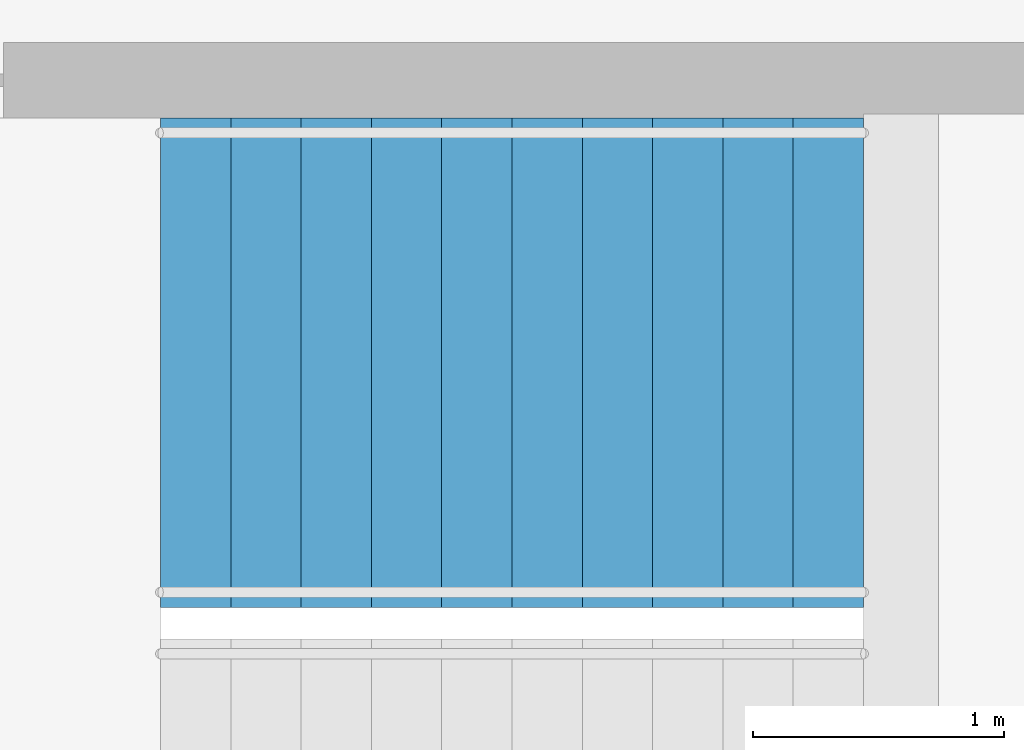
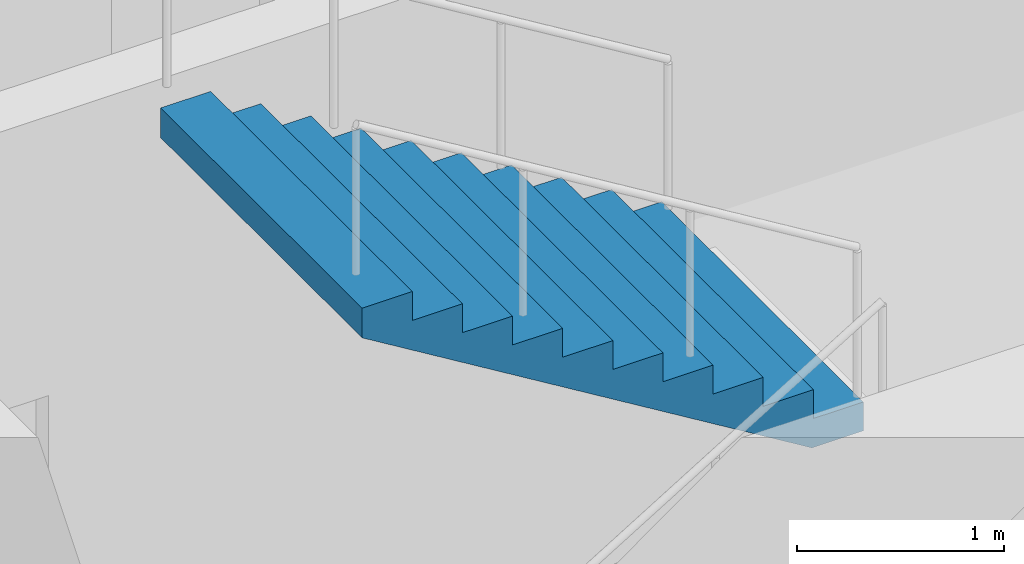
# One storey, part 19 of 22: 1 stair flight, 1 element without a shape of its own.
"""IFC4 building model written with IfcOpenShell, lengths in metres."""

from ifc_helpers import new_model, si_unit, direction, frame, origin, place, context, subcontext, project, spatial, triangles, material, type_object, element, aggregate, save


model = new_model("IFC4")

# Units and contexts
model_context = context("Model", 3, precision=1e-05, world=origin(), true_north=direction((0.0, 1.0)))
body_context = subcontext(model_context, "Body", "Model", "MODEL_VIEW")
ifc_project = project(units=[si_unit("LENGTHUNIT", "METRE"), si_unit("AREAUNIT", "SQUARE_METRE"), si_unit("VOLUMEUNIT", "CUBIC_METRE"), si_unit("PLANEANGLEUNIT", "RADIAN"), si_unit("MASSUNIT", "GRAM", prefix="KILO")], contexts=[model_context])

# Site, building, storey
site_placement = place(None, origin())
site = spatial("IfcSite", under=ifc_project, at=site_placement, CompositionType="ELEMENT")
building_placement = place(site_placement, origin())
building = spatial("IfcBuilding", under=site, at=building_placement, Name="Orbita Commons", CompositionType="ELEMENT")
storey_placement = place(building_placement, frame((0.0, 0.0, 197.35009765625)))
storey = spatial("IfcBuildingStorey", under=building, at=storey_placement, Name="L49", CompositionType="ELEMENT", Elevation=197.35009765625)

# Stair, stair flight
ifc_material_1 = material(Name="Precast concrete C40/50", Category="concrete")
stair_type = type_object("IfcStairType", Name="Exit stair S1 2 flights 11 risers 170", PredefinedType="HALF_TURN_STAIR", material=ifc_material_1)
stair_placement = place(storey_placement, origin())
stair = element("IfcStair", 1, at=stair_placement, inside=storey, type_object=stair_type, Name="Exit stair S1 L49", PredefinedType="HALF_TURN_STAIR")
ifc_material_2 = material(Name="Precast concrete C40/50", Category="concrete")
stair_flight_type = type_object("IfcStairFlightType", Name="Stair flight 11 risers 170 x 280", PredefinedType="STRAIGHT", material=ifc_material_2)
stair_flight_placement = place(storey_placement, frame((23.25, 29.27490234375, 1.875), z_axis=(0.0, 0.0, 1.0), x_axis=(-1.0, 0.0, 0.0)))
stair_flight = element("IfcStairFlight", 2, at=stair_flight_placement, type_object=stair_flight_type, Name="S1 flight 2", NumberOfRisers=11, NumberOfTreads=10, PredefinedType="STRAIGHT", RiserHeight=0.170454545, TreadLength=0.28, context=body_context, shape_type="Tessellation", body=[
    triangles([(0.0, 0.974976, 0.0), (0.0, 0.974976, 0.021307), (0.0, 0.81248, 0.021307), (0.0, 0.81248, 0.0), (0.0, 0.649984, 0.021307), (0.0, 0.649984, 0.0), (0.0, 0.487488, 0.021307), (0.0, 0.487488, 0.0), (0.0, 0.324992, 0.021307), (0.0, 0.324992, 0.0), (0.0, 0.162496, 0.021307), (0.0, 0.162496, 0.0), (0.0, 0.0, 0.021307), (0.0, 0.0, 0.0), (0.0, -0.162496, 0.021307), (0.0, -0.162496, 0.0), (0.0, -0.324992, 0.021307), (0.0, -0.324992, 0.0), (0.0, -0.487488, 0.021307), (0.0, -0.487488, 0.0), (0.0, -0.649984, 0.021307), (0.0, -0.649984, 0.0), (0.0, -0.81248, 0.021307), (0.0, -0.81248, 0.0), (0.0, -0.974976, 0.021307), (0.0, -0.974976, 0.0), (0.0, 0.974976, 0.042614), (0.0, 0.81248, 0.042614), (0.0, 0.649984, 0.042614), (0.0, 0.487488, 0.042614), (0.0, 0.324992, 0.042614), (0.0, 0.162496, 0.042614), (0.0, 0.0, 0.042614), (0.0, -0.162496, 0.042614), (0.0, -0.324992, 0.042614), (0.0, -0.487488, 0.042614), (0.0, -0.649984, 0.042614), (0.0, -0.81248, 0.042614), (0.0, -0.974976, 0.042614), (0.0, 0.974976, 0.06392), (0.0, 0.81248, 0.06392), (0.0, 0.649984, 0.06392), (0.0, 0.487488, 0.06392), (0.0, 0.324992, 0.06392), (0.0, 0.162496, 0.06392), (0.0, 0.0, 0.06392), (0.0, -0.162496, 0.06392), (0.0, -0.324992, 0.06392), (0.0, -0.487488, 0.06392), (0.0, -0.649984, 0.06392), (0.0, -0.81248, 0.06392), (0.0, -0.974976, 0.06392), (0.0, 0.974976, 0.085227), (0.0, 0.81248, 0.085227), (0.0, 0.649984, 0.085227), (0.0, 0.487488, 0.085227), (0.0, 0.324992, 0.085227), (0.0, 0.162496, 0.085227), (0.0, 0.0, 0.085227), (0.0, -0.162496, 0.085227), (0.0, -0.324992, 0.085227), (0.0, -0.487488, 0.085227), (0.0, -0.649984, 0.085227), (0.0, -0.81248, 0.085227), (0.0, -0.974976, 0.085227), (0.0, 0.974976, 0.106534), (0.0, 0.81248, 0.106534), (0.0, 0.649984, 0.106534), (0.0, 0.487488, 0.106534), (0.0, 0.324992, 0.106534), (0.0, 0.162496, 0.106534), (0.0, 0.0, 0.106534), (0.0, -0.162496, 0.106534), (0.0, -0.324992, 0.106534), (0.0, -0.487488, 0.106534), (0.0, -0.649984, 0.106534), (0.0, -0.81248, 0.106534), (0.0, -0.974976, 0.106534), (0.0, 0.974976, 0.127841), (0.0, 0.81248, 0.127841), (0.0, 0.649984, 0.127841), (0.0, 0.487488, 0.127841), (0.0, 0.324992, 0.127841), (0.0, 0.162496, 0.127841), (0.0, 0.0, 0.127841), (0.0, -0.162496, 0.127841), (0.0, -0.324992, 0.127841), (0.0, -0.487488, 0.127841), (0.0, -0.649984, 0.127841), (0.0, -0.81248, 0.127841), (0.0, -0.974976, 0.127841), (0.0, 0.974976, 0.149148), (0.0, 0.81248, 0.149148), (0.0, 0.649984, 0.149148), (0.0, 0.487488, 0.149148), (0.0, 0.324992, 0.149148), (0.0, 0.162496, 0.149148), (0.0, 0.0, 0.149148), (0.0, -0.162496, 0.149148), (0.0, -0.324992, 0.149148), (0.0, -0.487488, 0.149148), (0.0, -0.649984, 0.149148), (0.0, -0.81248, 0.149148), (0.0, -0.974976, 0.149148), (0.0, 0.974976, 0.170455), (0.0, 0.81248, 0.170455), (0.0, 0.649984, 0.170455), (0.0, 0.487488, 0.170455), (0.0, 0.324992, 0.170455), (0.0, 0.162496, 0.170455), (0.0, 0.0, 0.170455), (0.0, -0.162496, 0.170455), (0.0, -0.324992, 0.170455), (0.0, -0.487488, 0.170455), (0.0, -0.649984, 0.170455), (0.0, -0.81248, 0.170455), (0.0, -0.974976, 0.170455), (0.28, 0.974976, 0.170455), (0.28, 0.81248, 0.170455), (0.28, 0.649984, 0.170455), (0.28, 0.487488, 0.170455), (0.28, 0.324992, 0.170455), (0.28, 0.162496, 0.170455), (0.28, 0.0, 0.170455), (0.28, -0.162496, 0.170455), (0.28, -0.324992, 0.170455), (0.28, -0.487488, 0.170455), (0.28, -0.649984, 0.170455), (0.28, -0.81248, 0.170455), (0.28, -0.974976, 0.170455), (0.28, 0.974976, 0.340909), (0.28, 0.81248, 0.340909), (0.28, 0.649984, 0.340909), (0.28, 0.487488, 0.340909), (0.28, 0.324992, 0.340909), (0.28, 0.162496, 0.340909), (0.28, 0.0, 0.340909), (0.28, -0.162496, 0.340909), (0.28, -0.324992, 0.340909), (0.28, -0.487488, 0.340909), (0.28, -0.649984, 0.340909), (0.28, -0.81248, 0.340909), (0.28, -0.974976, 0.340909), (0.56, 0.974976, 0.340909), (0.56, 0.81248, 0.340909), (0.56, 0.649984, 0.340909), (0.56, 0.487488, 0.340909), (0.56, 0.324992, 0.340909), (0.56, 0.162496, 0.340909), (0.56, 0.0, 0.340909), (0.56, -0.162496, 0.340909), (0.56, -0.324992, 0.340909), (0.56, -0.487488, 0.340909), (0.56, -0.649984, 0.340909), (0.56, -0.81248, 0.340909), (0.56, -0.974976, 0.340909), (0.56, 0.974976, 0.511364), (0.56, 0.81248, 0.511364), (0.56, 0.649984, 0.511364), (0.56, 0.487488, 0.511364), (0.56, 0.324992, 0.511364), (0.56, 0.162496, 0.511364), (0.56, 0.0, 0.511364), (0.56, -0.162496, 0.511364), (0.56, -0.324992, 0.511364), (0.56, -0.487488, 0.511364), (0.56, -0.649984, 0.511364), (0.56, -0.81248, 0.511364), (0.56, -0.974976, 0.511364), (0.84, 0.974976, 0.511364), (0.84, 0.81248, 0.511364), (0.84, 0.649984, 0.511364), (0.84, 0.487488, 0.511364), (0.84, 0.324992, 0.511364), (0.84, 0.162496, 0.511364), (0.84, 0.0, 0.511364), (0.84, -0.162496, 0.511364), (0.84, -0.324992, 0.511364), (0.84, -0.487488, 0.511364), (0.84, -0.649984, 0.511364), (0.84, -0.81248, 0.511364), (0.84, -0.974976, 0.511364), (0.84, 0.974976, 0.681818), (0.84, 0.81248, 0.681818), (0.84, 0.649984, 0.681818), (0.84, 0.487488, 0.681818), (0.84, 0.324992, 0.681818), (0.84, 0.162496, 0.681818), (0.84, 0.0, 0.681818), (0.84, -0.162496, 0.681818), (0.84, -0.324992, 0.681818), (0.84, -0.487488, 0.681818), (0.84, -0.649984, 0.681818), (0.84, -0.81248, 0.681818), (0.84, -0.974976, 0.681818), (1.12, 0.974976, 0.681818), (1.12, 0.81248, 0.681818), (1.12, 0.649984, 0.681818), (1.12, 0.487488, 0.681818), (1.12, 0.324992, 0.681818), (1.12, 0.162496, 0.681818), (1.12, 0.0, 0.681818), (1.12, -0.162496, 0.681818), (1.12, -0.324992, 0.681818), (1.12, -0.487488, 0.681818), (1.12, -0.649984, 0.681818), (1.12, -0.81248, 0.681818), (1.12, -0.974976, 0.681818), (1.12, 0.974976, 0.852273), (1.12, 0.81248, 0.852273), (1.12, 0.649984, 0.852273), (1.12, 0.487488, 0.852273), (1.12, 0.324992, 0.852273), (1.12, 0.162496, 0.852273), (1.12, 0.0, 0.852273), (1.12, -0.162496, 0.852273), (1.12, -0.324992, 0.852273), (1.12, -0.487488, 0.852273), (1.12, -0.649984, 0.852273), (1.12, -0.81248, 0.852273), (1.12, -0.974976, 0.852273), (1.4, 0.974976, 0.852273), (1.4, 0.81248, 0.852273), (1.4, 0.649984, 0.852273), (1.4, 0.487488, 0.852273), (1.4, 0.324992, 0.852273), (1.4, 0.162496, 0.852273), (1.4, 0.0, 0.852273), (1.4, -0.162496, 0.852273), (1.4, -0.324992, 0.852273), (1.4, -0.487488, 0.852273), (1.4, -0.649984, 0.852273), (1.4, -0.81248, 0.852273), (1.4, -0.974976, 0.852273), (1.4, 0.974976, 1.022727), (1.4, 0.81248, 1.022727), (1.4, 0.649984, 1.022727), (1.4, 0.487488, 1.022727), (1.4, 0.324992, 1.022727), (1.4, 0.162496, 1.022727), (1.4, 0.0, 1.022727), (1.4, -0.162496, 1.022727), (1.4, -0.324992, 1.022727), (1.4, -0.487488, 1.022727), (1.4, -0.649984, 1.022727), (1.4, -0.81248, 1.022727), (1.4, -0.974976, 1.022727), (1.68, 0.974976, 1.022727), (1.68, 0.81248, 1.022727), (1.68, 0.649984, 1.022727), (1.68, 0.487488, 1.022727), (1.68, 0.324992, 1.022727), (1.68, 0.162496, 1.022727), (1.68, 0.0, 1.022727), (1.68, -0.162496, 1.022727), (1.68, -0.324992, 1.022727), (1.68, -0.487488, 1.022727), (1.68, -0.649984, 1.022727), (1.68, -0.81248, 1.022727), (1.68, -0.974976, 1.022727), (1.68, 0.974976, 1.193182), (1.68, 0.81248, 1.193182), (1.68, 0.649984, 1.193182), (1.68, 0.487488, 1.193182), (1.68, 0.324992, 1.193182), (1.68, 0.162496, 1.193182), (1.68, 0.0, 1.193182), (1.68, -0.162496, 1.193182), (1.68, -0.324992, 1.193182), (1.68, -0.487488, 1.193182), (1.68, -0.649984, 1.193182), (1.68, -0.81248, 1.193182), (1.68, -0.974976, 1.193182), (1.96, 0.974976, 1.193182), (1.96, 0.81248, 1.193182), (1.96, 0.649984, 1.193182), (1.96, 0.487488, 1.193182), (1.96, 0.324992, 1.193182), (1.96, 0.162496, 1.193182), (1.96, 0.0, 1.193182), (1.96, -0.162496, 1.193182), (1.96, -0.324992, 1.193182), (1.96, -0.487488, 1.193182), (1.96, -0.649984, 1.193182), (1.96, -0.81248, 1.193182), (1.96, -0.974976, 1.193182), (1.96, 0.974976, 1.363636), (1.96, 0.81248, 1.363636), (1.96, 0.649984, 1.363636), (1.96, 0.487488, 1.363636), (1.96, 0.324992, 1.363636), (1.96, 0.162496, 1.363636), (1.96, 0.0, 1.363636), (1.96, -0.162496, 1.363636), (1.96, -0.324992, 1.363636), (1.96, -0.487488, 1.363636), (1.96, -0.649984, 1.363636), (1.96, -0.81248, 1.363636), (1.96, -0.974976, 1.363636), (2.24, 0.974976, 1.363636), (2.24, 0.81248, 1.363636), (2.24, 0.649984, 1.363636), (2.24, 0.487488, 1.363636), (2.24, 0.324992, 1.363636), (2.24, 0.162496, 1.363636), (2.24, 0.0, 1.363636), (2.24, -0.162496, 1.363636), (2.24, -0.324992, 1.363636), (2.24, -0.487488, 1.363636), (2.24, -0.649984, 1.363636), (2.24, -0.81248, 1.363636), (2.24, -0.974976, 1.363636), (2.24, 0.974976, 1.534091), (2.24, 0.81248, 1.534091), (2.24, 0.649984, 1.534091), (2.24, 0.487488, 1.534091), (2.24, 0.324992, 1.534091), (2.24, 0.162496, 1.534091), (2.24, 0.0, 1.534091), (2.24, -0.162496, 1.534091), (2.24, -0.324992, 1.534091), (2.24, -0.487488, 1.534091), (2.24, -0.649984, 1.534091), (2.24, -0.81248, 1.534091), (2.24, -0.974976, 1.534091), (2.52, 0.974976, 1.534091), (2.52, 0.81248, 1.534091), (2.52, 0.649984, 1.534091), (2.52, 0.487488, 1.534091), (2.52, 0.324992, 1.534091), (2.52, 0.162496, 1.534091), (2.52, 0.0, 1.534091), (2.52, -0.162496, 1.534091), (2.52, -0.324992, 1.534091), (2.52, -0.487488, 1.534091), (2.52, -0.649984, 1.534091), (2.52, -0.81248, 1.534091), (2.52, -0.974976, 1.534091), (2.52, 0.974976, 1.704545), (2.52, 0.81248, 1.704545), (2.52, 0.649984, 1.704545), (2.52, 0.487488, 1.704545), (2.52, 0.324992, 1.704545), (2.52, 0.162496, 1.704545), (2.52, 0.0, 1.704545), (2.52, -0.162496, 1.704545), (2.52, -0.324992, 1.704545), (2.52, -0.487488, 1.704545), (2.52, -0.649984, 1.704545), (2.52, -0.81248, 1.704545), (2.52, -0.974976, 1.704545), (2.8, 0.974976, 1.704545), (2.8, 0.81248, 1.704545), (2.8, 0.649984, 1.704545), (2.8, 0.487488, 1.704545), (2.8, 0.324992, 1.704545), (2.8, 0.162496, 1.704545), (2.8, 0.0, 1.704545), (2.8, -0.162496, 1.704545), (2.8, -0.324992, 1.704545), (2.8, -0.487488, 1.704545), (2.8, -0.649984, 1.704545), (2.8, -0.81248, 1.704545), (2.8, -0.974976, 1.704545), (2.8, 0.974976, 1.682609), (2.8, 0.81248, 1.682609), (2.8, 0.649984, 1.682609), (2.8, 0.487488, 1.682609), (2.8, 0.324992, 1.682609), (2.8, 0.162496, 1.682609), (2.8, 0.0, 1.682609), (2.8, -0.162496, 1.682609), (2.8, -0.324992, 1.682609), (2.8, -0.487488, 1.682609), (2.8, -0.649984, 1.682609), (2.8, -0.81248, 1.682609), (2.8, -0.974976, 1.682609), (2.8, 0.974976, 1.660672), (2.8, 0.81248, 1.660672), (2.8, 0.649984, 1.660672), (2.8, 0.487488, 1.660672), (2.8, 0.324992, 1.660672), (2.8, 0.162496, 1.660672), (2.8, 0.0, 1.660672), (2.8, -0.162496, 1.660672), (2.8, -0.324992, 1.660672), (2.8, -0.487488, 1.660672), (2.8, -0.649984, 1.660672), (2.8, -0.81248, 1.660672), (2.8, -0.974976, 1.660672), (2.8, 0.974976, 1.638735), (2.8, 0.81248, 1.638735), (2.8, 0.649984, 1.638735), (2.8, 0.487488, 1.638735), (2.8, 0.324992, 1.638735), (2.8, 0.162496, 1.638735), (2.8, 0.0, 1.638735), (2.8, -0.162496, 1.638735), (2.8, -0.324992, 1.638735), (2.8, -0.487488, 1.638735), (2.8, -0.649984, 1.638735), (2.8, -0.81248, 1.638735), (2.8, -0.974976, 1.638735), (2.8, 0.974976, 1.616798), (2.8, 0.81248, 1.616798), (2.8, 0.649984, 1.616798), (2.8, 0.487488, 1.616798), (2.8, 0.324992, 1.616798), (2.8, 0.162496, 1.616798), (2.8, 0.0, 1.616798), (2.8, -0.162496, 1.616798), (2.8, -0.324992, 1.616798), (2.8, -0.487488, 1.616798), (2.8, -0.649984, 1.616798), (2.8, -0.81248, 1.616798), (2.8, -0.974976, 1.616798), (2.8, 0.974976, 1.594861), (2.8, 0.81248, 1.594861), (2.8, 0.649984, 1.594861), (2.8, 0.487488, 1.594861), (2.8, 0.324992, 1.594861), (2.8, 0.162496, 1.594861), (2.8, 0.0, 1.594861), (2.8, -0.162496, 1.594861), (2.8, -0.324992, 1.594861), (2.8, -0.487488, 1.594861), (2.8, -0.649984, 1.594861), (2.8, -0.81248, 1.594861), (2.8, -0.974976, 1.594861), (2.8, 0.974976, 1.572925), (2.8, 0.81248, 1.572925), (2.8, 0.649984, 1.572925), (2.8, 0.487488, 1.572925), (2.8, 0.324992, 1.572925), (2.8, 0.162496, 1.572925), (2.8, 0.0, 1.572925), (2.8, -0.162496, 1.572925), (2.8, -0.324992, 1.572925), (2.8, -0.487488, 1.572925), (2.8, -0.649984, 1.572925), (2.8, -0.81248, 1.572925), (2.8, -0.974976, 1.572925), (2.8, 0.974976, 1.550988), (2.8, 0.81248, 1.550988), (2.8, 0.649984, 1.550988), (2.8, 0.487488, 1.550988), (2.8, 0.324992, 1.550988), (2.8, 0.162496, 1.550988), (2.8, 0.0, 1.550988), (2.8, -0.162496, 1.550988), (2.8, -0.324992, 1.550988), (2.8, -0.487488, 1.550988), (2.8, -0.649984, 1.550988), (2.8, -0.81248, 1.550988), (2.8, -0.974976, 1.550988), (2.8, 0.974976, 1.529051), (2.8, 0.81248, 1.529051), (2.8, 0.649984, 1.529051), (2.8, 0.487488, 1.529051), (2.8, 0.324992, 1.529051), (2.8, 0.162496, 1.529051), (2.8, 0.0, 1.529051), (2.8, -0.162496, 1.529051), (2.8, -0.324992, 1.529051), (2.8, -0.487488, 1.529051), (2.8, -0.649984, 1.529051), (2.8, -0.81248, 1.529051), (2.8, -0.974976, 1.529051), (0.288279, 0.974976, 0.0), (0.288279, 0.81248, 0.0), (0.288279, 0.649984, 0.0), (0.288279, 0.487488, 0.0), (0.288279, 0.324992, 0.0), (0.288279, 0.162496, 0.0), (0.288279, 0.0, 0.0), (0.288279, -0.162496, 0.0), (0.288279, -0.324992, 0.0), (0.288279, -0.487488, 0.0), (0.288279, -0.649984, 0.0), (0.288279, -0.81248, 0.0), (0.288279, -0.974976, 0.0)], [[3, 2, 1], [4, 3, 1], [5, 3, 4], [6, 5, 4], [7, 5, 6], [8, 7, 6], [9, 7, 8], [10, 9, 8], [11, 9, 10], [12, 11, 10], [13, 11, 12], [14, 13, 12], [15, 13, 14], [16, 15, 14], [17, 15, 16], [18, 17, 16], [19, 17, 18], [20, 19, 18], [21, 19, 20], [22, 21, 20], [23, 21, 22], [24, 23, 22], [25, 23, 24], [26, 25, 24], [28, 27, 2], [3, 28, 2], [29, 28, 3], [5, 29, 3], [30, 29, 5], [7, 30, 5], [31, 30, 7], [9, 31, 7], [32, 31, 9], [11, 32, 9], [33, 32, 11], [13, 33, 11], [34, 33, 13], [15, 34, 13], [35, 34, 15], [17, 35, 15], [36, 35, 17], [19, 36, 17], [37, 36, 19], [21, 37, 19], [38, 37, 21], [23, 38, 21], [39, 38, 23], [25, 39, 23], [41, 40, 27], [28, 41, 27], [42, 41, 28], [29, 42, 28], [43, 42, 29], [30, 43, 29], [44, 43, 30], [31, 44, 30], [45, 44, 31], [32, 45, 31], [46, 45, 32], [33, 46, 32], [47, 46, 33], [34, 47, 33], [48, 47, 34], [35, 48, 34], [49, 48, 35], [36, 49, 35], [50, 49, 36], [37, 50, 36], [51, 50, 37], [38, 51, 37], [52, 51, 38], [39, 52, 38], [54, 53, 40], [41, 54, 40], [55, 54, 41], [42, 55, 41], [56, 55, 42], [43, 56, 42], [57, 56, 43], [44, 57, 43], [58, 57, 44], [45, 58, 44], [59, 58, 45], [46, 59, 45], [60, 59, 46], [47, 60, 46], [61, 60, 47], [48, 61, 47], [62, 61, 48], [49, 62, 48], [63, 62, 49], [50, 63, 49], [64, 63, 50], [51, 64, 50], [65, 64, 51], [52, 65, 51], [67, 66, 53], [54, 67, 53], [68, 67, 54], [55, 68, 54], [69, 68, 55], [56, 69, 55], [70, 69, 56], [57, 70, 56], [71, 70, 57], [58, 71, 57], [72, 71, 58], [59, 72, 58], [73, 72, 59], [60, 73, 59], [74, 73, 60], [61, 74, 60], [75, 74, 61], [62, 75, 61], [76, 75, 62], [63, 76, 62], [77, 76, 63], [64, 77, 63], [78, 77, 64], [65, 78, 64], [80, 79, 66], [67, 80, 66], [81, 80, 67], [68, 81, 67], [82, 81, 68], [69, 82, 68], [83, 82, 69], [70, 83, 69], [84, 83, 70], [71, 84, 70], [85, 84, 71], [72, 85, 71], [86, 85, 72], [73, 86, 72], [87, 86, 73], [74, 87, 73], [88, 87, 74], [75, 88, 74], [89, 88, 75], [76, 89, 75], [90, 89, 76], [77, 90, 76], [91, 90, 77], [78, 91, 77], [93, 92, 79], [80, 93, 79], [94, 93, 80], [81, 94, 80], [95, 94, 81], [82, 95, 81], [96, 95, 82], [83, 96, 82], [97, 96, 83], [84, 97, 83], [98, 97, 84], [85, 98, 84], [99, 98, 85], [86, 99, 85], [100, 99, 86], [87, 100, 86], [101, 100, 87], [88, 101, 87], [102, 101, 88], [89, 102, 88], [103, 102, 89], [90, 103, 89], [104, 103, 90], [91, 104, 90], [106, 105, 92], [93, 106, 92], [107, 106, 93], [94, 107, 93], [108, 107, 94], [95, 108, 94], [109, 108, 95], [96, 109, 95], [110, 109, 96], [97, 110, 96], [111, 110, 97], [98, 111, 97], [112, 111, 98], [99, 112, 98], [113, 112, 99], [100, 113, 99], [114, 113, 100], [101, 114, 100], [115, 114, 101], [102, 115, 101], [116, 115, 102], [103, 116, 102], [117, 116, 103], [104, 117, 103], [119, 118, 105], [106, 119, 105], [120, 119, 106], [107, 120, 106], [121, 120, 107], [108, 121, 107], [122, 121, 108], [109, 122, 108], [123, 122, 109], [110, 123, 109], [124, 123, 110], [111, 124, 110], [125, 124, 111], [112, 125, 111], [126, 125, 112], [113, 126, 112], [127, 126, 113], [114, 127, 113], [128, 127, 114], [115, 128, 114], [129, 128, 115], [116, 129, 115], [130, 129, 116], [117, 130, 116], [132, 131, 118], [119, 132, 118], [133, 132, 119], [120, 133, 119], [134, 133, 120], [121, 134, 120], [135, 134, 121], [122, 135, 121], [136, 135, 122], [123, 136, 122], [137, 136, 123], [124, 137, 123], [138, 137, 124], [125, 138, 124], [139, 138, 125], [126, 139, 125], [140, 139, 126], [127, 140, 126], [141, 140, 127], [128, 141, 127], [142, 141, 128], [129, 142, 128], [143, 142, 129], [130, 143, 129], [145, 144, 131], [132, 145, 131], [146, 145, 132], [133, 146, 132], [147, 146, 133], [134, 147, 133], [148, 147, 134], [135, 148, 134], [149, 148, 135], [136, 149, 135], [150, 149, 136], [137, 150, 136], [151, 150, 137], [138, 151, 137], [152, 151, 138], [139, 152, 138], [153, 152, 139], [140, 153, 139], [154, 153, 140], [141, 154, 140], [155, 154, 141], [142, 155, 141], [156, 155, 142], [143, 156, 142], [158, 157, 144], [145, 158, 144], [159, 158, 145], [146, 159, 145], [160, 159, 146], [147, 160, 146], [161, 160, 147], [148, 161, 147], [162, 161, 148], [149, 162, 148], [163, 162, 149], [150, 163, 149], [164, 163, 150], [151, 164, 150], [165, 164, 151], [152, 165, 151], [166, 165, 152], [153, 166, 152], [167, 166, 153], [154, 167, 153], [168, 167, 154], [155, 168, 154], [169, 168, 155], [156, 169, 155], [171, 170, 157], [158, 171, 157], [172, 171, 158], [159, 172, 158], [173, 172, 159], [160, 173, 159], [174, 173, 160], [161, 174, 160], [175, 174, 161], [162, 175, 161], [176, 175, 162], [163, 176, 162], [177, 176, 163], [164, 177, 163], [178, 177, 164], [165, 178, 164], [179, 178, 165], [166, 179, 165], [180, 179, 166], [167, 180, 166], [181, 180, 167], [168, 181, 167], [182, 181, 168], [169, 182, 168], [184, 183, 170], [171, 184, 170], [185, 184, 171], [172, 185, 171], [186, 185, 172], [173, 186, 172], [187, 186, 173], [174, 187, 173], [188, 187, 174], [175, 188, 174], [189, 188, 175], [176, 189, 175], [190, 189, 176], [177, 190, 176], [191, 190, 177], [178, 191, 177], [192, 191, 178], [179, 192, 178], [193, 192, 179], [180, 193, 179], [194, 193, 180], [181, 194, 180], [195, 194, 181], [182, 195, 181], [197, 196, 183], [184, 197, 183], [198, 197, 184], [185, 198, 184], [199, 198, 185], [186, 199, 185], [200, 199, 186], [187, 200, 186], [201, 200, 187], [188, 201, 187], [202, 201, 188], [189, 202, 188], [203, 202, 189], [190, 203, 189], [204, 203, 190], [191, 204, 190], [205, 204, 191], [192, 205, 191], [206, 205, 192], [193, 206, 192], [207, 206, 193], [194, 207, 193], [208, 207, 194], [195, 208, 194], [210, 209, 196], [197, 210, 196], [211, 210, 197], [198, 211, 197], [212, 211, 198], [199, 212, 198], [213, 212, 199], [200, 213, 199], [214, 213, 200], [201, 214, 200], [215, 214, 201], [202, 215, 201], [216, 215, 202], [203, 216, 202], [217, 216, 203], [204, 217, 203], [218, 217, 204], [205, 218, 204], [219, 218, 205], [206, 219, 205], [220, 219, 206], [207, 220, 206], [221, 220, 207], [208, 221, 207], [223, 222, 209], [210, 223, 209], [224, 223, 210], [211, 224, 210], [225, 224, 211], [212, 225, 211], [226, 225, 212], [213, 226, 212], [227, 226, 213], [214, 227, 213], [228, 227, 214], [215, 228, 214], [229, 228, 215], [216, 229, 215], [230, 229, 216], [217, 230, 216], [231, 230, 217], [218, 231, 217], [232, 231, 218], [219, 232, 218], [233, 232, 219], [220, 233, 219], [234, 233, 220], [221, 234, 220], [236, 235, 222], [223, 236, 222], [237, 236, 223], [224, 237, 223], [238, 237, 224], [225, 238, 224], [239, 238, 225], [226, 239, 225], [240, 239, 226], [227, 240, 226], [241, 240, 227], [228, 241, 227], [242, 241, 228], [229, 242, 228], [243, 242, 229], [230, 243, 229], [244, 243, 230], [231, 244, 230], [245, 244, 231], [232, 245, 231], [246, 245, 232], [233, 246, 232], [247, 246, 233], [234, 247, 233], [249, 248, 235], [236, 249, 235], [250, 249, 236], [237, 250, 236], [251, 250, 237], [238, 251, 237], [252, 251, 238], [239, 252, 238], [253, 252, 239], [240, 253, 239], [254, 253, 240], [241, 254, 240], [255, 254, 241], [242, 255, 241], [256, 255, 242], [243, 256, 242], [257, 256, 243], [244, 257, 243], [258, 257, 244], [245, 258, 244], [259, 258, 245], [246, 259, 245], [260, 259, 246], [247, 260, 246], [262, 261, 248], [249, 262, 248], [263, 262, 249], [250, 263, 249], [264, 263, 250], [251, 264, 250], [265, 264, 251], [252, 265, 251], [266, 265, 252], [253, 266, 252], [267, 266, 253], [254, 267, 253], [268, 267, 254], [255, 268, 254], [269, 268, 255], [256, 269, 255], [270, 269, 256], [257, 270, 256], [271, 270, 257], [258, 271, 257], [272, 271, 258], [259, 272, 258], [273, 272, 259], [260, 273, 259], [275, 274, 261], [262, 275, 261], [276, 275, 262], [263, 276, 262], [277, 276, 263], [264, 277, 263], [278, 277, 264], [265, 278, 264], [279, 278, 265], [266, 279, 265], [280, 279, 266], [267, 280, 266], [281, 280, 267], [268, 281, 267], [282, 281, 268], [269, 282, 268], [283, 282, 269], [270, 283, 269], [284, 283, 270], [271, 284, 270], [285, 284, 271], [272, 285, 271], [286, 285, 272], [273, 286, 272], [288, 287, 274], [275, 288, 274], [289, 288, 275], [276, 289, 275], [290, 289, 276], [277, 290, 276], [291, 290, 277], [278, 291, 277], [292, 291, 278], [279, 292, 278], [293, 292, 279], [280, 293, 279], [294, 293, 280], [281, 294, 280], [295, 294, 281], [282, 295, 281], [296, 295, 282], [283, 296, 282], [297, 296, 283], [284, 297, 283], [298, 297, 284], [285, 298, 284], [299, 298, 285], [286, 299, 285], [301, 300, 287], [288, 301, 287], [302, 301, 288], [289, 302, 288], [303, 302, 289], [290, 303, 289], [304, 303, 290], [291, 304, 290], [305, 304, 291], [292, 305, 291], [306, 305, 292], [293, 306, 292], [307, 306, 293], [294, 307, 293], [308, 307, 294], [295, 308, 294], [309, 308, 295], [296, 309, 295], [310, 309, 296], [297, 310, 296], [311, 310, 297], [298, 311, 297], [312, 311, 298], [299, 312, 298], [314, 313, 300], [301, 314, 300], [315, 314, 301], [302, 315, 301], [316, 315, 302], [303, 316, 302], [317, 316, 303], [304, 317, 303], [318, 317, 304], [305, 318, 304], [319, 318, 305], [306, 319, 305], [320, 319, 306], [307, 320, 306], [321, 320, 307], [308, 321, 307], [322, 321, 308], [309, 322, 308], [323, 322, 309], [310, 323, 309], [324, 323, 310], [311, 324, 310], [325, 324, 311], [312, 325, 311], [327, 326, 313], [314, 327, 313], [328, 327, 314], [315, 328, 314], [329, 328, 315], [316, 329, 315], [330, 329, 316], [317, 330, 316], [331, 330, 317], [318, 331, 317], [332, 331, 318], [319, 332, 318], [333, 332, 319], [320, 333, 319], [334, 333, 320], [321, 334, 320], [335, 334, 321], [322, 335, 321], [336, 335, 322], [323, 336, 322], [337, 336, 323], [324, 337, 323], [338, 337, 324], [325, 338, 324], [340, 339, 326], [327, 340, 326], [341, 340, 327], [328, 341, 327], [342, 341, 328], [329, 342, 328], [343, 342, 329], [330, 343, 329], [344, 343, 330], [331, 344, 330], [345, 344, 331], [332, 345, 331], [346, 345, 332], [333, 346, 332], [347, 346, 333], [334, 347, 333], [348, 347, 334], [335, 348, 334], [349, 348, 335], [336, 349, 335], [350, 349, 336], [337, 350, 336], [351, 350, 337], [338, 351, 337], [353, 352, 339], [340, 353, 339], [354, 353, 340], [341, 354, 340], [355, 354, 341], [342, 355, 341], [356, 355, 342], [343, 356, 342], [357, 356, 343], [344, 357, 343], [358, 357, 344], [345, 358, 344], [359, 358, 345], [346, 359, 345], [360, 359, 346], [347, 360, 346], [361, 360, 347], [348, 361, 347], [362, 361, 348], [349, 362, 348], [363, 362, 349], [350, 363, 349], [364, 363, 350], [351, 364, 350], [366, 365, 352], [353, 366, 352], [367, 366, 353], [354, 367, 353], [368, 367, 354], [355, 368, 354], [369, 368, 355], [356, 369, 355], [370, 369, 356], [357, 370, 356], [371, 370, 357], [358, 371, 357], [372, 371, 358], [359, 372, 358], [373, 372, 359], [360, 373, 359], [374, 373, 360], [361, 374, 360], [375, 374, 361], [362, 375, 361], [376, 375, 362], [363, 376, 362], [377, 376, 363], [364, 377, 363], [379, 378, 365], [366, 379, 365], [380, 379, 366], [367, 380, 366], [381, 380, 367], [368, 381, 367], [382, 381, 368], [369, 382, 368], [383, 382, 369], [370, 383, 369], [384, 383, 370], [371, 384, 370], [385, 384, 371], [372, 385, 371], [386, 385, 372], [373, 386, 372], [387, 386, 373], [374, 387, 373], [388, 387, 374], [375, 388, 374], [389, 388, 375], [376, 389, 375], [390, 389, 376], [377, 390, 376], [392, 391, 378], [379, 392, 378], [393, 392, 379], [380, 393, 379], [394, 393, 380], [381, 394, 380], [395, 394, 381], [382, 395, 381], [396, 395, 382], [383, 396, 382], [397, 396, 383], [384, 397, 383], [398, 397, 384], [385, 398, 384], [399, 398, 385], [386, 399, 385], [400, 399, 386], [387, 400, 386], [401, 400, 387], [388, 401, 387], [402, 401, 388], [389, 402, 388], [403, 402, 389], [390, 403, 389], [405, 404, 391], [392, 405, 391], [406, 405, 392], [393, 406, 392], [407, 406, 393], [394, 407, 393], [408, 407, 394], [395, 408, 394], [409, 408, 395], [396, 409, 395], [410, 409, 396], [397, 410, 396], [411, 410, 397], [398, 411, 397], [412, 411, 398], [399, 412, 398], [413, 412, 399], [400, 413, 399], [414, 413, 400], [401, 414, 400], [415, 414, 401], [402, 415, 401], [416, 415, 402], [403, 416, 402], [418, 417, 404], [405, 418, 404], [419, 418, 405], [406, 419, 405], [420, 419, 406], [407, 420, 406], [421, 420, 407], [408, 421, 407], [422, 421, 408], [409, 422, 408], [423, 422, 409], [410, 423, 409], [424, 423, 410], [411, 424, 410], [425, 424, 411], [412, 425, 411], [426, 425, 412], [413, 426, 412], [427, 426, 413], [414, 427, 413], [428, 427, 414], [415, 428, 414], [429, 428, 415], [416, 429, 415], [431, 430, 417], [418, 431, 417], [432, 431, 418], [419, 432, 418], [433, 432, 419], [420, 433, 419], [434, 433, 420], [421, 434, 420], [435, 434, 421], [422, 435, 421], [436, 435, 422], [423, 436, 422], [437, 436, 423], [424, 437, 423], [438, 437, 424], [425, 438, 424], [439, 438, 425], [426, 439, 425], [440, 439, 426], [427, 440, 426], [441, 440, 427], [428, 441, 427], [442, 441, 428], [429, 442, 428], [444, 443, 430], [431, 444, 430], [445, 444, 431], [432, 445, 431], [446, 445, 432], [433, 446, 432], [447, 446, 433], [434, 447, 433], [448, 447, 434], [435, 448, 434], [449, 448, 435], [436, 449, 435], [450, 449, 436], [437, 450, 436], [451, 450, 437], [438, 451, 437], [452, 451, 438], [439, 452, 438], [453, 452, 439], [440, 453, 439], [454, 453, 440], [441, 454, 440], [455, 454, 441], [442, 455, 441], [457, 456, 443], [444, 457, 443], [458, 457, 444], [445, 458, 444], [459, 458, 445], [446, 459, 445], [460, 459, 446], [447, 460, 446], [461, 460, 447], [448, 461, 447], [462, 461, 448], [449, 462, 448], [463, 462, 449], [450, 463, 449], [464, 463, 450], [451, 464, 450], [465, 464, 451], [452, 465, 451], [466, 465, 452], [453, 466, 452], [467, 466, 453], [454, 467, 453], [468, 467, 454], [455, 468, 454], [470, 469, 456], [457, 470, 456], [471, 470, 457], [458, 471, 457], [472, 471, 458], [459, 472, 458], [473, 472, 459], [460, 473, 459], [474, 473, 460], [461, 474, 460], [475, 474, 461], [462, 475, 461], [476, 475, 462], [463, 476, 462], [477, 476, 463], [464, 477, 463], [478, 477, 464], [465, 478, 464], [479, 478, 465], [466, 479, 465], [480, 479, 466], [467, 480, 466], [481, 480, 467], [468, 481, 467], [4, 1, 469], [470, 4, 469], [6, 4, 470], [471, 6, 470], [8, 6, 471], [472, 8, 471], [10, 8, 472], [473, 10, 472], [12, 10, 473], [474, 12, 473], [14, 12, 474], [475, 14, 474], [16, 14, 475], [476, 16, 475], [18, 16, 476], [477, 18, 476], [20, 18, 477], [478, 20, 477], [22, 20, 478], [479, 22, 478], [24, 22, 479], [480, 24, 479], [26, 24, 480], [481, 26, 480], [456, 469, 1], [26, 481, 468], [443, 456, 1], [26, 468, 455], [430, 443, 1], [26, 455, 442], [417, 430, 1], [26, 442, 429], [404, 417, 1], [26, 429, 416], [391, 404, 1], [26, 416, 403], [378, 391, 1], [26, 403, 390], [365, 378, 1], [26, 390, 377], [339, 352, 365], [377, 364, 351], [326, 339, 365], [377, 351, 338], [300, 313, 326], [338, 325, 312], [300, 326, 365], [377, 338, 312], [274, 287, 300], [312, 299, 286], [274, 300, 365], [377, 312, 286], [248, 261, 274], [286, 273, 260], [248, 274, 365], [377, 286, 260], [222, 235, 248], [260, 247, 234], [222, 248, 365], [377, 260, 234], [196, 209, 222], [234, 221, 208], [196, 222, 365], [377, 234, 208], [170, 183, 196], [208, 195, 182], [170, 196, 365], [377, 208, 182], [144, 157, 170], [182, 169, 156], [144, 170, 365], [377, 182, 156], [118, 131, 144], [156, 143, 130], [118, 144, 365], [377, 156, 130], [118, 365, 1], [26, 377, 130], [92, 105, 118], [130, 117, 104], [79, 92, 118], [130, 104, 91], [66, 79, 118], [130, 91, 78], [53, 66, 118], [130, 78, 65], [40, 53, 118], [130, 65, 52], [27, 40, 118], [130, 52, 39], [2, 27, 118], [130, 39, 25], [1, 2, 118], [130, 25, 26]], closed=True),
])
aggregate(stair, [stair_flight])

save(model, "model.ifc")
